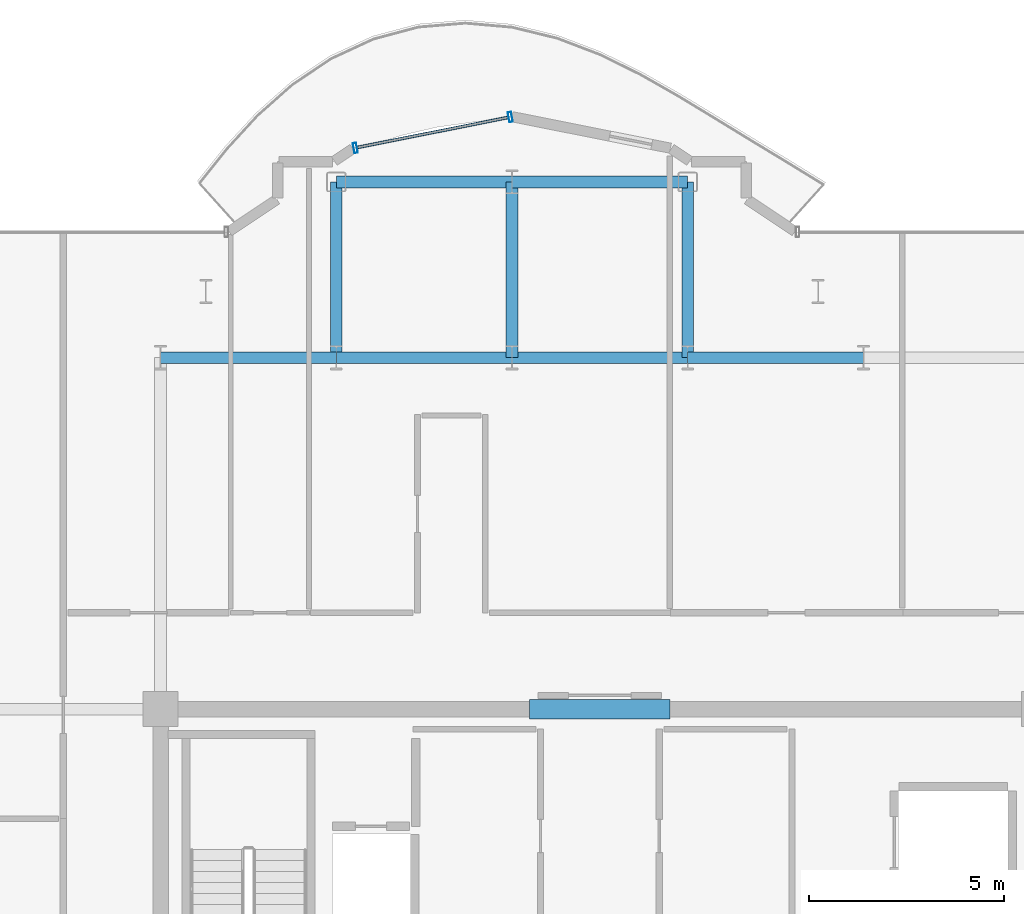
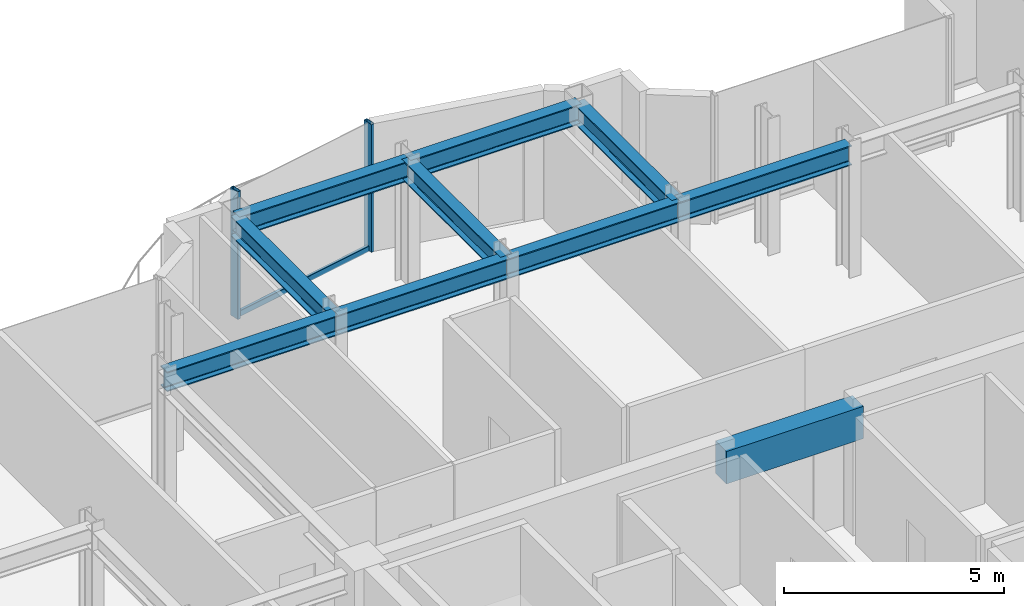
# One storey, part 8 of 16: 10 beams, 3 members, 1 element without a shape of its own.
"""IFC4 building model written with IfcOpenShell, lengths in metres."""

from ifc_helpers import new_model, si_unit, direction, frame, origin, origin_2d, place, context, subcontext, project, spatial, rectangle, hollow_rectangle, i_section, extrude, source, transform, mapped, material, layer, layer_set, material_profile, profile_set, type_object, element, aggregate, save


model = new_model("IFC4")

# Units and contexts
model_context = context("Model", 3, precision=1e-05, world=origin(), true_north=direction((0.0, 1.0)))
body_context = subcontext(model_context, "Body", "Model", "MODEL_VIEW")
ifc_project = project(units=[si_unit("LENGTHUNIT", "METRE"), si_unit("AREAUNIT", "SQUARE_METRE"), si_unit("VOLUMEUNIT", "CUBIC_METRE"), si_unit("PLANEANGLEUNIT", "RADIAN"), si_unit("MASSUNIT", "GRAM", prefix="KILO")], contexts=[model_context])

# Site, building, storey
site_placement = place(None, origin())
site = spatial("IfcSite", under=ifc_project, at=site_placement, CompositionType="ELEMENT")
building_placement = place(site_placement, origin())
building = spatial("IfcBuilding", under=site, at=building_placement, Name="Nefas-Gora Pilgrimage Tower", CompositionType="ELEMENT")
storey_placement = place(building_placement, frame((0.0, 0.0, 322.39990234375)))
storey = spatial("IfcBuildingStorey", under=building, at=storey_placement, Name="L81", CompositionType="ELEMENT", Elevation=322.39990234375)

# Beams
ifc_material_1 = material(Name="Concrete C50/60", Category="concrete")
ifc_material_profile_1 = material_profile(ifc_material_1, rectangle(XDim=0.5, YDim=0.89990234375, at=origin_2d()), Name="RC 500x900")
ifc_profile_set_1 = profile_set([ifc_material_profile_1], Name="Concrete C50/60")
beam_type_1 = type_object("IfcBeamType", Name="BM-LIN-RC900", PredefinedType="LINTEL", material=ifc_profile_set_1)
shared_shape_1 = source(origin(), body_context, "Body", "SweptSolid", [
    extrude(rectangle(XDim=0.5, YDim=0.89990234375, at=origin_2d()), origin(), (0.0, 0.0, 1.0), 3.60009765625),
])
beam_placement = place(storey_placement, frame((-1.800048828125, 9.0, 3.10009765625), z_axis=(1.0, 0.0, 0.0), x_axis=(0.0, 1.0, 0.0)))
element("IfcBeam", 1, at=beam_placement, inside=storey, type_object=beam_type_1, Name="L81 Core Coupling Lintel Beam N", PredefinedType="LINTEL", context=body_context, shape_type="MappedRepresentation", body=[
    mapped(shared_shape_1, transform((0.0, 0.0, 0.0), x_axis=(1.0, 0.0, 0.0), y_axis=(0.0, 1.0, 0.0), z_axis=(0.0, 0.0, 1.0), scale=1.0)),
])
ifc_material_2 = material(Name="Steel S355", Category="steel")
ifc_material_profile_2 = material_profile(ifc_material_2, i_section(OverallWidth=0.300048828125, OverallDepth=0.550048828125, WebThickness=0.014892578125, FlangeThickness=0.029052734375, FilletRadius=0.027099609375, at=origin_2d()), Name="HEB 550")
ifc_profile_set_2 = profile_set([ifc_material_profile_2], Name="Steel S355")
beam_type_2 = type_object("IfcBeamType", Name="BM-GIR-HEB550", PredefinedType="BEAM", material=ifc_profile_set_2)
shared_shape_2 = source(origin(), body_context, "Body", "SweptSolid", [
    extrude(i_section(OverallWidth=0.300048828125, OverallDepth=0.550048828125, WebThickness=0.014892578125, FlangeThickness=0.029052734375, FilletRadius=0.027099609375, at=origin_2d()), origin(), (0.0, 0.0, 1.0), 4.5),
])
for number, where, z_axis, x_axis, name in (
    (2, (-11.25, 18.0, 3.275146484375), (1.0, 0.0, 0.0), (0.0, 1.0, 0.0), "L81 G-05 beam"),
    (3, (-6.75, 18.0, 3.275146484375), (0.0, 1.0, 0.0), (-1.0, 0.0, 0.0), "L81 G-05 beam"),
    (4, (-6.75, 18.0, 3.275146484375), (1.0, 0.0, 0.0), (0.0, 1.0, 0.0), "L81 G-05 beam"),
    (5, (-6.75, 22.5, 3.275146484375), (1.0, 0.0, 0.0), (0.0, 1.0, 0.0), "L81 G-05 beam"),
    (6, (-2.25, 18.0, 3.275146484375), (0.0, 1.0, 0.0), (-1.0, 0.0, 0.0), "L81 G-05 beam"),
    (7, (-2.25, 18.0, 3.275146484375), (1.0, 0.0, 0.0), (0.0, 1.0, 0.0), "L81 G-05 beam"),
    (8, (-2.25, 22.5, 3.275146484375), (1.0, 0.0, 0.0), (0.0, 1.0, 0.0), "L81 G-05 beam"),
    (9, (2.25, 18.0, 3.275146484375), (0.0, 1.0, 0.0), (-1.0, 0.0, 0.0), "L81 G-05 beam"),
    (10, (2.25, 18.0, 3.275146484375), (1.0, 0.0, 0.0), (0.0, 1.0, 0.0), "L81 G-05 beam"),
):
    element("IfcBeam", number, at=place(storey_placement, frame(where, z_axis=z_axis, x_axis=x_axis)), inside=storey, type_object=beam_type_2, Name=name, PredefinedType="BEAM", context=body_context, shape_type="MappedRepresentation", body=[
        mapped(shared_shape_2, transform((0.0, 0.0, 0.0), x_axis=(1.0, 0.0, 0.0), y_axis=(0.0, 1.0, 0.0), z_axis=(0.0, 0.0, 1.0), scale=1.0)),
    ])

# Curtain wall, members
ifc_material_3 = material(Name="Dark ceramic-fritted solar-control aluminium-glass curtain wall", Category="aluminium")
ifc_layer = layer(ifc_material_3, 0.219970703125)
ifc_layer_set = layer_set([ifc_layer], Name="Dark ceramic-fritted solar-control aluminium-glass curtain wall")
curtain_wall_type = type_object("IfcCurtainWallType", Name="CW-SYS-5", PredefinedType="NOTDEFINED", material=ifc_layer_set)
curtain_wall_placement = place(storey_placement, origin())
curtain_wall = element("IfcCurtainWall", 11, at=curtain_wall_placement, inside=storey, type_object=curtain_wall_type, Name="L81 Unitised Curtain Wall CW5", PredefinedType="NOTDEFINED")
ifc_material_4 = material(Name="Anodised architectural aluminium", Category="aluminium")
ifc_material_profile_3 = material_profile(ifc_material_4, hollow_rectangle(XDim=0.090087890625, YDim=0.260009765625, WallThickness=0.006103515625, InnerFilletRadius=0.006103515625, OuterFilletRadius=0.011962890625, at=origin_2d()), Name="ALU MULLION 90x260")
ifc_profile_set_3 = profile_set([ifc_material_profile_3], Name="Anodised architectural aluminium")
member_type_1 = type_object("IfcMemberType", Name="CWM-MUL-5", PredefinedType="MULLION", material=ifc_profile_set_3)
shared_shape_3 = source(origin(), body_context, "Body", "SweptSolid", [
    extrude(hollow_rectangle(XDim=0.090087890625, YDim=0.260009765625, WallThickness=0.006103515625, InnerFilletRadius=0.006103515625, OuterFilletRadius=0.011962890625, at=origin_2d()), origin(), (0.0, 0.0, 1.0), 3.550048828125),
])
member_1_placement = place(storey_placement, frame((-2.294189453125, 24.16357421875, 0.0), z_axis=(0.0, 0.0, 1.0), x_axis=(-0.980782896852, -0.195102304554, 0.0)))
member_1 = element("IfcMember", 12, at=member_1_placement, type_object=member_type_1, Name="CW5 Mullion 1", PredefinedType="MULLION", context=body_context, shape_type="MappedRepresentation", body=[
    mapped(shared_shape_3, transform((0.0, 0.0, 0.0), x_axis=(1.0, 0.0, 0.0), y_axis=(0.0, 1.0, 0.0), z_axis=(0.0, 0.0, 1.0), scale=1.0)),
])
member_2_placement = place(storey_placement, frame((-6.26318359375, 23.3740234375, 0.0), z_axis=(0.0, 0.0, 1.0), x_axis=(-0.980782896852, -0.195102304554, 0.0)))
member_2 = element("IfcMember", 13, at=member_2_placement, type_object=member_type_1, Name="CW5 Mullion 2", PredefinedType="MULLION", context=body_context, shape_type="MappedRepresentation", body=[
    mapped(shared_shape_3, transform((0.0, 0.0, 0.0), x_axis=(1.0, 0.0, 0.0), y_axis=(0.0, 1.0, 0.0), z_axis=(0.0, 0.0, 1.0), scale=1.0)),
])
ifc_material_profile_4 = material_profile(ifc_material_4, hollow_rectangle(XDim=0.080078125, YDim=0.159912109375, WallThickness=0.00439453125, InnerFilletRadius=0.00439453125, OuterFilletRadius=0.009033203125, at=origin_2d()), Name="ALU TRANSOM 80x160")
ifc_profile_set_4 = profile_set([ifc_material_profile_4], Name="Anodised architectural aluminium")
member_type_2 = type_object("IfcMemberType", Name="CWM-TRN-5", PredefinedType="USERDEFINED", material=ifc_profile_set_4)
shared_shape_4 = source(origin(), body_context, "Body", "SweptSolid", [
    extrude(hollow_rectangle(XDim=0.080078125, YDim=0.159912109375, WallThickness=0.00439453125, InnerFilletRadius=0.00439453125, OuterFilletRadius=0.009033203125, at=origin_2d()), origin(), (0.0, 0.0, 1.0), 3.95654296875),
])
member_3_placement = place(storey_placement, frame((-2.33837890625, 24.15478515625, 0.050048828125), z_axis=(-0.980781880918, -0.195107411605, 0.0), x_axis=(0.195107411605, -0.980781880918, 0.0)))
member_3 = element("IfcMember", 14, at=member_3_placement, type_object=member_type_2, Name="CW5 Spandrel Transom", ObjectType="TRANSOM", PredefinedType="USERDEFINED", context=body_context, shape_type="MappedRepresentation", body=[
    mapped(shared_shape_4, transform((0.0, 0.0, 0.0), x_axis=(1.0, 0.0, 0.0), y_axis=(0.0, 1.0, 0.0), z_axis=(0.0, 0.0, 1.0), scale=1.0)),
])
aggregate(curtain_wall, [member_1, member_2, member_3])

save(model, "model.ifc")
